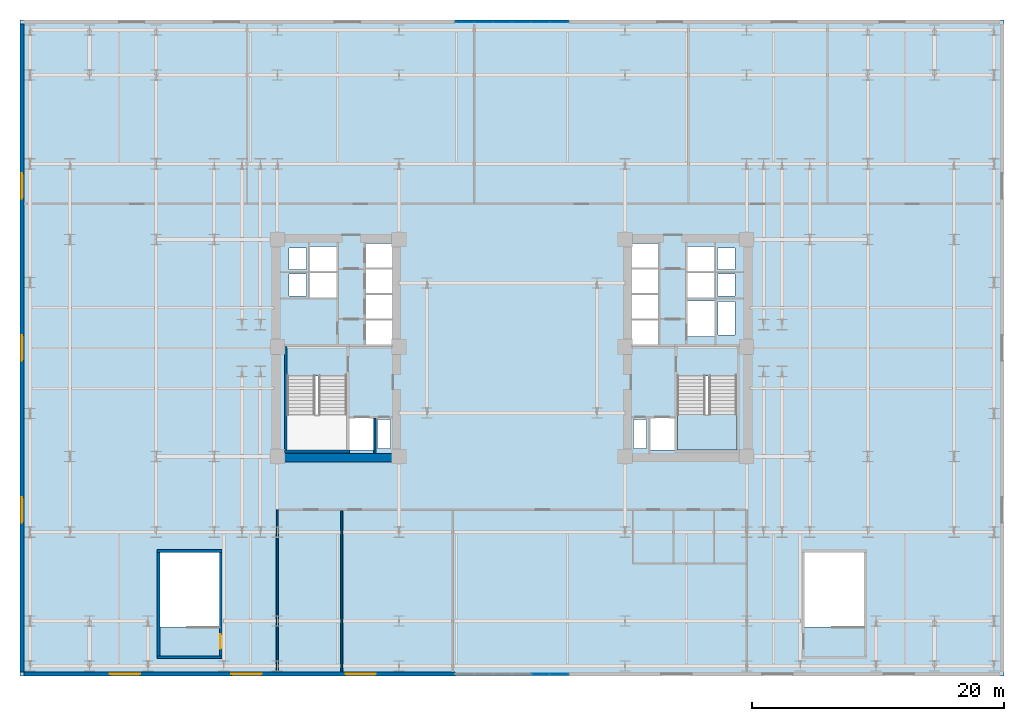
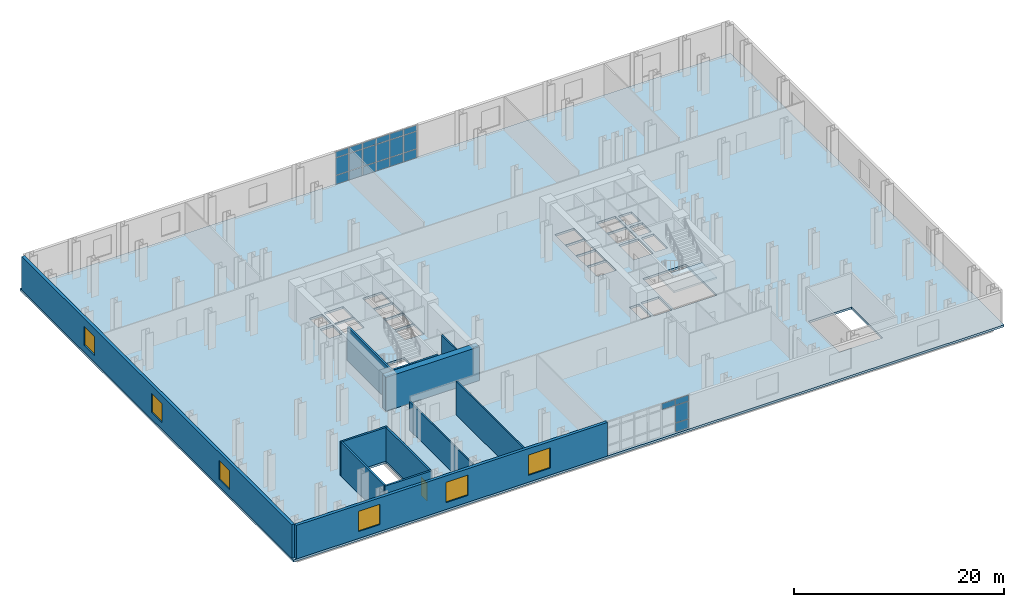
# One storey, part 7 of 13: 22 plates, 12 walls, 6 windows, 2 slabs, 1 door, 7 openings, 3 elements without a shape of their own.
"""IFC4 building model written with IfcOpenShell, lengths in metres."""

from ifc_helpers import new_model, si_unit, direction, frame, frame_2d, origin, origin_2d, place, context, subcontext, project, spatial, polyline, rectangle, outline, extrude, material, layer, layer_set, type_object, element, fill, aggregate, save


model = new_model("IFC4")

# Units and contexts
model_context = context("Model", 3, precision=1e-05, world=origin(), true_north=direction((0.0, 1.0)))
body_context = subcontext(model_context, "Body", "Model", "MODEL_VIEW")
ifc_project = project(units=[si_unit("LENGTHUNIT", "METRE"), si_unit("AREAUNIT", "SQUARE_METRE"), si_unit("VOLUMEUNIT", "CUBIC_METRE"), si_unit("PLANEANGLEUNIT", "RADIAN"), si_unit("MASSUNIT", "GRAM", prefix="KILO")], contexts=[model_context])

# Site, building, storey
site_placement = place(None, origin())
site = spatial("IfcSite", under=ifc_project, at=site_placement, CompositionType="ELEMENT")
building_placement = place(site_placement, origin())
building = spatial("IfcBuilding", under=site, at=building_placement, Name="Velakula Bourse", CompositionType="ELEMENT")
storey_placement = place(building_placement, frame((0.0, 0.0, 22.800048828125)))
storey = spatial("IfcBuildingStorey", under=building, at=storey_placement, Name="L05", CompositionType="ELEMENT", Elevation=22.800048828125)

# Curtain wall, plates
ifc_material_1 = material(Name="Anodised bronze architectural aluminium", Category="aluminium")
ifc_layer_1 = layer(ifc_material_1, 0.179931640625, Name="Anodised bronze architectural aluminium", Category="aluminium")
ifc_layer_set_1 = layer_set([ifc_layer_1], Name="Anodised bronze architectural aluminium")
curtain_wall_type = type_object("IfcCurtainWallType", Name="CW-PD1", PredefinedType="NOTDEFINED", material=ifc_layer_set_1)
curtain_wall_1_placement = place(storey_placement, origin())
curtain_wall_1 = element("IfcCurtainWall", 1, at=curtain_wall_1_placement, inside=storey, type_object=curtain_wall_type, Name="L05 South Station Galleria Curtain Wall 2", PredefinedType="NOTDEFINED")
ifc_material_2 = material(Name="Double-glazed solar-control Low-E glass", Category="glass")
ifc_layer_2 = layer(ifc_material_2, 0.02587890625, Name="Double-glazed solar-control Low-E glass", Category="glass")
ifc_layer_set_2 = layer_set([ifc_layer_2], Name="Double-glazed solar-control Low-E glass")
plate_type = type_object("IfcPlateType", Name="PNL-CW-PD1", PredefinedType="CURTAIN_PANEL", material=ifc_layer_set_2)
plate_1_placement = place(storey_placement, frame((3.735107421875, -25.840087890625, 0.06005859375), z_axis=(0.0, 0.0, 1.0), x_axis=(-1.0, 0.0, 0.0)))
plate_1 = element("IfcPlate", 2, at=plate_1_placement, type_object=plate_type, Name="CW-PD1 panel 1.1", PredefinedType="CURTAIN_PANEL", context=body_context, shape_type="SweptSolid", body=[
    extrude(rectangle(XDim=1.409912109375, YDim=0.028076171875, at=origin_2d()), origin(), (0.0, 0.0, 1.0), 1.010009765625),
])
plate_2_placement = place(storey_placement, frame((3.735107421875, -25.840087890625, 1.1298828125), z_axis=(0.0, 0.0, 1.0), x_axis=(-1.0, 0.0, 0.0)))
plate_2 = element("IfcPlate", 3, at=plate_2_placement, type_object=plate_type, Name="CW-PD1 panel 1.2", PredefinedType="CURTAIN_PANEL", context=body_context, shape_type="SweptSolid", body=[
    extrude(rectangle(XDim=1.409912109375, YDim=0.028076171875, at=origin_2d()), origin(), (0.0, 0.0, 1.0), 1.989990234375),
])
plate_3_placement = place(storey_placement, frame((3.735107421875, -25.840087890625, 3.18017578125), z_axis=(0.0, 0.0, 1.0), x_axis=(-1.0, 0.0, 0.0)))
plate_3 = element("IfcPlate", 4, at=plate_3_placement, type_object=plate_type, Name="CW-PD1 panel 1.3", PredefinedType="CURTAIN_PANEL", context=body_context, shape_type="SweptSolid", body=[
    extrude(rectangle(XDim=1.409912109375, YDim=0.028076171875, at=origin_2d()), origin(), (0.0, 0.0, 1.0), 0.659912109375),
])
plate_4_placement = place(storey_placement, frame((2.25, -25.840087890625, 3.18017578125), z_axis=(0.0, 0.0, 1.0), x_axis=(-1.0, 0.0, 0.0)))
plate_4 = element("IfcPlate", 5, at=plate_4_placement, type_object=plate_type, Name="CW-PD1 panel 2.3", PredefinedType="CURTAIN_PANEL", context=body_context, shape_type="SweptSolid", body=[
    extrude(rectangle(XDim=1.43994140625, YDim=0.028076171875, at=origin_2d()), origin(), (0.0, 0.0, 1.0), 0.659912109375),
])
aggregate(curtain_wall_1, [plate_1, plate_2, plate_3, plate_4])

curtain_wall_2_placement = place(storey_placement, origin())
curtain_wall_2 = element("IfcCurtainWall", 6, at=curtain_wall_2_placement, inside=storey, type_object=curtain_wall_type, Name="L05 North Station Galleria Curtain Wall 2", PredefinedType="NOTDEFINED")
plate_5_placement = place(storey_placement, frame((-3.735107421875, 25.840087890625, 0.06005859375), z_axis=(0.0, 0.0, 1.0), x_axis=(1.0, 0.0, 0.0)))
plate_5 = element("IfcPlate", 7, at=plate_5_placement, type_object=plate_type, Name="CW-PD1 panel 1.1", PredefinedType="CURTAIN_PANEL", context=body_context, shape_type="SweptSolid", body=[
    extrude(rectangle(XDim=1.409912109375, YDim=0.028076171875, at=origin_2d()), origin(), (0.0, 0.0, 1.0), 1.010009765625),
])
plate_6_placement = place(storey_placement, frame((-3.735107421875, 25.840087890625, 1.1298828125), z_axis=(0.0, 0.0, 1.0), x_axis=(1.0, 0.0, 0.0)))
plate_6 = element("IfcPlate", 8, at=plate_6_placement, type_object=plate_type, Name="CW-PD1 panel 1.2", PredefinedType="CURTAIN_PANEL", context=body_context, shape_type="SweptSolid", body=[
    extrude(rectangle(XDim=1.409912109375, YDim=0.028076171875, at=origin_2d()), origin(), (0.0, 0.0, 1.0), 1.989990234375),
])
plate_7_placement = place(storey_placement, frame((-3.735107421875, 25.840087890625, 3.18017578125), z_axis=(0.0, 0.0, 1.0), x_axis=(1.0, 0.0, 0.0)))
plate_7 = element("IfcPlate", 9, at=plate_7_placement, type_object=plate_type, Name="CW-PD1 panel 1.3", PredefinedType="CURTAIN_PANEL", context=body_context, shape_type="SweptSolid", body=[
    extrude(rectangle(XDim=1.409912109375, YDim=0.028076171875, at=origin_2d()), origin(), (0.0, 0.0, 1.0), 0.659912109375),
])
plate_8_placement = place(storey_placement, frame((-2.25, 25.840087890625, 0.06005859375), z_axis=(0.0, 0.0, 1.0), x_axis=(1.0, 0.0, 0.0)))
plate_8 = element("IfcPlate", 10, at=plate_8_placement, type_object=plate_type, Name="CW-PD1 panel 2.1", PredefinedType="CURTAIN_PANEL", context=body_context, shape_type="SweptSolid", body=[
    extrude(rectangle(XDim=1.43994140625, YDim=0.028076171875, at=origin_2d()), origin(), (0.0, 0.0, 1.0), 1.010009765625),
])
plate_9_placement = place(storey_placement, frame((-2.25, 25.840087890625, 1.1298828125), z_axis=(0.0, 0.0, 1.0), x_axis=(1.0, 0.0, 0.0)))
plate_9 = element("IfcPlate", 11, at=plate_9_placement, type_object=plate_type, Name="CW-PD1 panel 2.2", PredefinedType="CURTAIN_PANEL", context=body_context, shape_type="SweptSolid", body=[
    extrude(rectangle(XDim=1.43994140625, YDim=0.028076171875, at=origin_2d()), origin(), (0.0, 0.0, 1.0), 1.989990234375),
])
plate_10_placement = place(storey_placement, frame((-2.25, 25.840087890625, 3.18017578125), z_axis=(0.0, 0.0, 1.0), x_axis=(1.0, 0.0, 0.0)))
plate_10 = element("IfcPlate", 12, at=plate_10_placement, type_object=plate_type, Name="CW-PD1 panel 2.3", PredefinedType="CURTAIN_PANEL", context=body_context, shape_type="SweptSolid", body=[
    extrude(rectangle(XDim=1.43994140625, YDim=0.028076171875, at=origin_2d()), origin(), (0.0, 0.0, 1.0), 0.659912109375),
])
plate_11_placement = place(storey_placement, frame((-0.75, 25.840087890625, 0.06005859375), z_axis=(0.0, 0.0, 1.0), x_axis=(1.0, 0.0, 0.0)))
plate_11 = element("IfcPlate", 13, at=plate_11_placement, type_object=plate_type, Name="CW-PD1 panel 3.1", PredefinedType="CURTAIN_PANEL", context=body_context, shape_type="SweptSolid", body=[
    extrude(rectangle(XDim=1.43994140625, YDim=0.028076171875, at=origin_2d()), origin(), (0.0, 0.0, 1.0), 1.010009765625),
])
plate_12_placement = place(storey_placement, frame((-0.75, 25.840087890625, 1.1298828125), z_axis=(0.0, 0.0, 1.0), x_axis=(1.0, 0.0, 0.0)))
plate_12 = element("IfcPlate", 14, at=plate_12_placement, type_object=plate_type, Name="CW-PD1 panel 3.2", PredefinedType="CURTAIN_PANEL", context=body_context, shape_type="SweptSolid", body=[
    extrude(rectangle(XDim=1.43994140625, YDim=0.028076171875, at=origin_2d()), origin(), (0.0, 0.0, 1.0), 1.989990234375),
])
plate_13_placement = place(storey_placement, frame((-0.75, 25.840087890625, 3.18017578125), z_axis=(0.0, 0.0, 1.0), x_axis=(1.0, 0.0, 0.0)))
plate_13 = element("IfcPlate", 15, at=plate_13_placement, type_object=plate_type, Name="CW-PD1 panel 3.3", PredefinedType="CURTAIN_PANEL", context=body_context, shape_type="SweptSolid", body=[
    extrude(rectangle(XDim=1.43994140625, YDim=0.028076171875, at=origin_2d()), origin(), (0.0, 0.0, 1.0), 0.659912109375),
])
plate_14_placement = place(storey_placement, frame((0.75, 25.840087890625, 0.06005859375), z_axis=(0.0, 0.0, 1.0), x_axis=(1.0, 0.0, 0.0)))
plate_14 = element("IfcPlate", 16, at=plate_14_placement, type_object=plate_type, Name="CW-PD1 panel 4.1", PredefinedType="CURTAIN_PANEL", context=body_context, shape_type="SweptSolid", body=[
    extrude(rectangle(XDim=1.43994140625, YDim=0.028076171875, at=origin_2d()), origin(), (0.0, 0.0, 1.0), 1.010009765625),
])
plate_15_placement = place(storey_placement, frame((0.75, 25.840087890625, 1.1298828125), z_axis=(0.0, 0.0, 1.0), x_axis=(1.0, 0.0, 0.0)))
plate_15 = element("IfcPlate", 17, at=plate_15_placement, type_object=plate_type, Name="CW-PD1 panel 4.2", PredefinedType="CURTAIN_PANEL", context=body_context, shape_type="SweptSolid", body=[
    extrude(rectangle(XDim=1.43994140625, YDim=0.028076171875, at=origin_2d()), origin(), (0.0, 0.0, 1.0), 1.989990234375),
])
plate_16_placement = place(storey_placement, frame((0.75, 25.840087890625, 3.18017578125), z_axis=(0.0, 0.0, 1.0), x_axis=(1.0, 0.0, 0.0)))
plate_16 = element("IfcPlate", 18, at=plate_16_placement, type_object=plate_type, Name="CW-PD1 panel 4.3", PredefinedType="CURTAIN_PANEL", context=body_context, shape_type="SweptSolid", body=[
    extrude(rectangle(XDim=1.43994140625, YDim=0.028076171875, at=origin_2d()), origin(), (0.0, 0.0, 1.0), 0.659912109375),
])
plate_17_placement = place(storey_placement, frame((2.25, 25.840087890625, 0.06005859375), z_axis=(0.0, 0.0, 1.0), x_axis=(1.0, 0.0, 0.0)))
plate_17 = element("IfcPlate", 19, at=plate_17_placement, type_object=plate_type, Name="CW-PD1 panel 5.1", PredefinedType="CURTAIN_PANEL", context=body_context, shape_type="SweptSolid", body=[
    extrude(rectangle(XDim=1.43994140625, YDim=0.028076171875, at=origin_2d()), origin(), (0.0, 0.0, 1.0), 1.010009765625),
])
plate_18_placement = place(storey_placement, frame((2.25, 25.840087890625, 1.1298828125), z_axis=(0.0, 0.0, 1.0), x_axis=(1.0, 0.0, 0.0)))
plate_18 = element("IfcPlate", 20, at=plate_18_placement, type_object=plate_type, Name="CW-PD1 panel 5.2", PredefinedType="CURTAIN_PANEL", context=body_context, shape_type="SweptSolid", body=[
    extrude(rectangle(XDim=1.43994140625, YDim=0.028076171875, at=origin_2d()), origin(), (0.0, 0.0, 1.0), 1.989990234375),
])
plate_19_placement = place(storey_placement, frame((2.25, 25.840087890625, 3.18017578125), z_axis=(0.0, 0.0, 1.0), x_axis=(1.0, 0.0, 0.0)))
plate_19 = element("IfcPlate", 21, at=plate_19_placement, type_object=plate_type, Name="CW-PD1 panel 5.3", PredefinedType="CURTAIN_PANEL", context=body_context, shape_type="SweptSolid", body=[
    extrude(rectangle(XDim=1.43994140625, YDim=0.028076171875, at=origin_2d()), origin(), (0.0, 0.0, 1.0), 0.659912109375),
])
plate_20_placement = place(storey_placement, frame((3.735107421875, 25.840087890625, 0.06005859375), z_axis=(0.0, 0.0, 1.0), x_axis=(1.0, 0.0, 0.0)))
plate_20 = element("IfcPlate", 22, at=plate_20_placement, type_object=plate_type, Name="CW-PD1 panel 6.1", PredefinedType="CURTAIN_PANEL", context=body_context, shape_type="SweptSolid", body=[
    extrude(rectangle(XDim=1.409912109375, YDim=0.028076171875, at=origin_2d()), origin(), (0.0, 0.0, 1.0), 1.010009765625),
])
plate_21_placement = place(storey_placement, frame((3.735107421875, 25.840087890625, 1.1298828125), z_axis=(0.0, 0.0, 1.0), x_axis=(1.0, 0.0, 0.0)))
plate_21 = element("IfcPlate", 23, at=plate_21_placement, type_object=plate_type, Name="CW-PD1 panel 6.2", PredefinedType="CURTAIN_PANEL", context=body_context, shape_type="SweptSolid", body=[
    extrude(rectangle(XDim=1.409912109375, YDim=0.028076171875, at=origin_2d()), origin(), (0.0, 0.0, 1.0), 1.989990234375),
])
plate_22_placement = place(storey_placement, frame((3.735107421875, 25.840087890625, 3.18017578125), z_axis=(0.0, 0.0, 1.0), x_axis=(1.0, 0.0, 0.0)))
plate_22 = element("IfcPlate", 24, at=plate_22_placement, type_object=plate_type, Name="CW-PD1 panel 6.3", PredefinedType="CURTAIN_PANEL", context=body_context, shape_type="SweptSolid", body=[
    extrude(rectangle(XDim=1.409912109375, YDim=0.028076171875, at=origin_2d()), origin(), (0.0, 0.0, 1.0), 0.659912109375),
])
aggregate(curtain_wall_2, [plate_5, plate_6, plate_7, plate_8, plate_9, plate_10, plate_11, plate_12, plate_13, plate_14, plate_15, plate_16, plate_17, plate_18, plate_19, plate_20, plate_21, plate_22])

# Slab
ifc_material_3 = material(Name="Concrete M50 (fck 50 MPa)", Category="concrete")
ifc_layer_3 = layer(ifc_material_3, 0.25, Name="Concrete M50 (fck 50 MPa)", Category="concrete")
ifc_layer_set_3 = layer_set([ifc_layer_3], Name="Concrete M50 (fck 50 MPa)")
slab_type_1 = type_object("IfcSlabType", Name="SLB-POD-250", PredefinedType="FLOOR", material=ifc_layer_set_3)
slab_1_placement = place(storey_placement, frame((0.0, 0.0, -0.25)))
element("IfcSlab", 25, at=slab_1_placement, inside=storey, type_object=slab_type_1, Name="L05 Suspended Structural Floor Slab", PredefinedType="FLOOR", context=body_context, shape_type="SweptSolid", body=[
    extrude(outline(polyline([(-39.0, -26.0), (39.0, -26.0), (39.0, 26.0), (-39.0, 26.0), (-39.0, -26.0)]), holes=[polyline([(-17.820068359375, -8.10009765625), (-13.10009765625, -8.10009765625), (-13.10009765625, -2.199951171875), (-17.820068359375, -2.199951171875), (-17.820068359375, -8.10009765625)]), polyline([(13.10009765625, -8.10009765625), (17.820068359375, -8.10009765625), (17.820068359375, -2.199951171875), (13.10009765625, -2.199951171875), (13.10009765625, -8.10009765625)]), polyline([(-27.919921875, -22.10009765625), (-23.199951171875, -22.10009765625), (-23.199951171875, -16.199951171875), (-27.919921875, -16.199951171875), (-27.919921875, -22.10009765625)]), polyline([(23.199951171875, -22.10009765625), (27.919921875, -22.10009765625), (27.919921875, -16.199951171875), (23.199951171875, -16.199951171875), (23.199951171875, -22.10009765625)]), polyline([(-12.89990234375, -8.10009765625), (-10.949951171875, -8.10009765625), (-10.949951171875, -5.550048828125), (-12.89990234375, -5.550048828125), (-12.89990234375, -8.10009765625)]), polyline([(10.949951171875, -8.10009765625), (12.89990234375, -8.10009765625), (12.89990234375, -5.550048828125), (10.949951171875, -5.550048828125), (10.949951171875, -8.10009765625)]), polyline([(13.89990234375, 0.919921875), (16.050048828125, 0.919921875), (16.050048828125, 3.719970703125), (13.89990234375, 3.719970703125), (13.89990234375, 0.919921875)]), polyline([(-10.679931640625, -7.97998046875), (-9.6201171875, -7.97998046875), (-9.6201171875, -5.669921875), (-10.679931640625, -5.669921875), (-10.679931640625, -7.97998046875)]), polyline([(-17.679931640625, 4.139892578125), (-16.27001953125, 4.139892578125), (-16.27001953125, 5.85009765625), (-17.679931640625, 5.85009765625), (-17.679931640625, 4.139892578125)]), polyline([(-17.679931640625, 6.2099609375), (-16.27001953125, 6.2099609375), (-16.27001953125, 7.919921875), (-17.679931640625, 7.919921875), (-17.679931640625, 6.2099609375)]), polyline([(9.6201171875, -7.97998046875), (10.679931640625, -7.97998046875), (10.679931640625, -5.669921875), (9.6201171875, -5.669921875), (9.6201171875, -7.97998046875)]), polyline([(16.27001953125, 4.139892578125), (17.679931640625, 4.139892578125), (17.679931640625, 5.85009765625), (16.27001953125, 5.85009765625), (16.27001953125, 4.139892578125)]), polyline([(16.27001953125, 6.2099609375), (17.679931640625, 6.2099609375), (17.679931640625, 7.919921875), (16.27001953125, 7.919921875), (16.27001953125, 6.2099609375)]), polyline([(16.320068359375, 1.0400390625), (17.679931640625, 1.0400390625), (17.679931640625, 3.699951171875), (16.320068359375, 3.699951171875), (16.320068359375, 1.0400390625)]), polyline([(-11.60009765625, 0.280029296875), (-9.5, 0.280029296875), (-9.5, 2.199951171875), (-11.60009765625, 2.199951171875), (-11.60009765625, 0.280029296875)]), polyline([(-11.60009765625, 2.31005859375), (-9.5, 2.31005859375), (-9.5, 4.22998046875), (-11.60009765625, 4.22998046875), (-11.60009765625, 2.31005859375)]), polyline([(-11.60009765625, 4.340087890625), (-9.5, 4.340087890625), (-9.5, 6.260009765625), (-11.60009765625, 6.260009765625), (-11.60009765625, 4.340087890625)]), polyline([(-11.60009765625, 6.3701171875), (-9.5, 6.3701171875), (-9.5, 8.2900390625), (-11.60009765625, 8.2900390625), (-11.60009765625, 6.3701171875)]), polyline([(9.5, 0.280029296875), (11.60009765625, 0.280029296875), (11.60009765625, 2.199951171875), (9.5, 2.199951171875), (9.5, 0.280029296875)]), polyline([(9.5, 2.31005859375), (11.60009765625, 2.31005859375), (11.60009765625, 4.22998046875), (9.5, 4.22998046875), (9.5, 2.31005859375)]), polyline([(9.5, 4.340087890625), (11.60009765625, 4.340087890625), (11.60009765625, 6.260009765625), (9.5, 6.260009765625), (9.5, 4.340087890625)]), polyline([(9.5, 6.3701171875), (11.60009765625, 6.3701171875), (11.60009765625, 8.2900390625), (9.5, 8.2900390625), (9.5, 6.3701171875)]), polyline([(-16.0, 4.02001953125), (-13.89990234375, 4.02001953125), (-13.89990234375, 5.969970703125), (-16.0, 5.969970703125), (-16.0, 4.02001953125)]), polyline([(-16.0, 6.090087890625), (-13.89990234375, 6.090087890625), (-13.89990234375, 8.0400390625), (-16.0, 8.0400390625), (-16.0, 6.090087890625)]), polyline([(13.89990234375, 4.02001953125), (16.0, 4.02001953125), (16.0, 5.969970703125), (13.89990234375, 5.969970703125), (13.89990234375, 4.02001953125)]), polyline([(13.89990234375, 6.090087890625), (16.0, 6.090087890625), (16.0, 8.0400390625), (13.89990234375, 8.0400390625), (13.89990234375, 6.090087890625)])]), origin(), (0.0, 0.0, 1.0), 0.25),
])

# Stair, slab
ifc_material_4 = material(Name="Concrete M45 (fck 45 MPa)", Category="concrete")
stair_type = type_object("IfcStairType", Name="STR-DOG-435", PredefinedType="HALF_TURN_STAIR", material=ifc_material_4)
stair_placement = place(storey_placement, origin())
stair = element("IfcStair", 26, at=stair_placement, inside=storey, type_object=stair_type, Name="L05 East Core Exit Stair ST-E1", PredefinedType="HALF_TURN_STAIR")
ifc_layer_4 = layer(ifc_material_4, 0.199951171875, Name="Concrete M45 (fck 45 MPa)", Category="concrete")
ifc_layer_set_4 = layer_set([ifc_layer_4], Name="Concrete M45 (fck 45 MPa)")
slab_type_2 = type_object("IfcSlabType", Name="SLB-STAIR-LND-200", PredefinedType="LANDING", material=ifc_layer_set_4)
slab_2_placement = place(storey_placement, frame((0.0, 0.0, 1.89990234375)))
slab_2 = element("IfcSlab", 27, at=slab_2_placement, type_object=slab_type_2, Name="ST-E1 landing 1", PredefinedType="LANDING", context=body_context, shape_type="SweptSolid", body=[
    extrude(outline(polyline([(13.10009765625, -5.280029296875), (13.10009765625, -8.10009765625), (17.820068359375, -8.10009765625), (17.820068359375, -5.280029296875), (13.10009765625, -5.280029296875)])), origin(), (0.0, 0.0, 1.0), 0.199951171875),
])
aggregate(stair, [slab_2])

# Walls
ifc_layer_5 = layer(ifc_material_3, 0.2099609375, Name="Concrete M50 (fck 50 MPa)", Category="concrete")
ifc_layer_set_5 = layer_set([ifc_layer_5], Name="Concrete M50 (fck 50 MPa)")
wall_type_1 = type_object("IfcWallType", Name="WL-CORE-210", PredefinedType="SHEAR", material=ifc_layer_set_5)
wall_1_placement = place(storey_placement, frame((-17.925048828125, -8.10009765625, 0.0), z_axis=(0.0, 0.0, 1.0), x_axis=(0.0, 1.0, 0.0)))
element("IfcWall", 28, at=wall_1_placement, inside=storey, type_object=wall_type_1, Name="L05 Core W Stairwell Shear Wall OUT", PredefinedType="SHEAR", context=body_context, shape_type="SweptSolid", body=[
    extrude(rectangle(XDim=8.2001953125, YDim=0.2099609375, at=frame_2d((4.10009765625, 0.0))), origin(), (0.0, 0.0, 1.0), 3.919921875),
])
wall_2_placement = place(storey_placement, frame((-18.030029296875, -8.205078125, 0.0), z_axis=(0.0, 0.0, 1.0), x_axis=(1.0, 0.0, 0.0)))
element("IfcWall", 29, at=wall_2_placement, inside=storey, type_object=wall_type_1, Name="L05 Core W Stairwell Shear Wall S", PredefinedType="SHEAR", context=body_context, shape_type="SweptSolid", body=[
    extrude(rectangle(XDim=5.14013671875, YDim=0.2099609375, at=frame_2d((2.570068359375, 0.0))), origin(), (0.0, 0.0, 1.0), 3.919921875),
])
for number, where, z_axis, x_axis, name in (
    (30, (-28.1298828125, -24.5048828125, 0.0), (0.0, 0.0, 1.0), (1.0, 0.0, 0.0), "L05 Podium Stair ST-P1 Shear Wall S"),
    (31, (-28.1298828125, -16.094970703125, 0.0), (0.0, 0.0, 1.0), (1.0, 0.0, 0.0), "L05 Podium Stair ST-P1 Shear Wall N"),
):
    element("IfcWall", number, at=place(storey_placement, frame(where, z_axis=z_axis, x_axis=x_axis)), inside=storey, type_object=wall_type_1, Name=name, PredefinedType="SHEAR", context=body_context, shape_type="SweptSolid", body=[
        extrude(rectangle(XDim=5.139892578125, YDim=0.2099609375, at=frame_2d((2.56982421875, 0.0))), origin(), (0.0, 0.0, 1.0), 3.919921875),
    ])
wall_3_placement = place(storey_placement, frame((-28.02490234375, -24.39990234375, 0.0), z_axis=(0.0, 0.0, 1.0), x_axis=(0.0, 1.0, 0.0)))
element("IfcWall", 32, at=wall_3_placement, inside=storey, type_object=wall_type_1, Name="L05 Podium Stair ST-P1 Shear Wall W", PredefinedType="SHEAR", context=body_context, shape_type="SweptSolid", body=[
    extrude(rectangle(XDim=8.199951171875, YDim=0.2099609375, at=frame_2d((4.10009765625, 0.0))), origin(), (0.0, 0.0, 1.0), 3.919921875),
])

# Wall, opening, door
wall_4_placement = place(storey_placement, frame((-23.094970703125, -24.39990234375, 0.0), z_axis=(0.0, 0.0, 1.0), x_axis=(0.0, 1.0, 0.0)))
wall_4 = element("IfcWall", 33, at=wall_4_placement, inside=storey, type_object=wall_type_1, Name="L05 Podium Stair ST-P1 Shear Wall E", PredefinedType="SHEAR", context=body_context, shape_type="SweptSolid", body=[
    extrude(rectangle(XDim=8.199951171875, YDim=0.2099609375, at=frame_2d((4.10009765625, 0.0))), origin(), (0.0, 0.0, 1.0), 3.919921875),
])
opening_1_placement = place(wall_4_placement, frame((0.550048828125, 0.0, 0.0)))
opening_1 = element("IfcOpeningElement", 34, at=opening_1_placement, cuts=wall_4, Name="Opening D-P1", PredefinedType="OPENING", context=body_context, shape_type="SweptSolid", body=[
    extrude(rectangle(XDim=1.14990234375, YDim=2.10009765625, at=frame_2d((0.574951171875, 1.050048828125))), frame((0.0, 0.114990234375, 0.0), z_axis=(0.0, -1.0, 0.0), x_axis=(1.0, 0.0, 0.0)), (0.0, 0.0, 1.0), 0.22998046875),
])
ifc_material_5 = material(Name="Galvanised painted hollow steel fire door", Category="steel")
door_type = type_object("IfcDoorType", Name="DR-FD120-1150x2100", OperationType="NOTDEFINED", PredefinedType="DOOR", material=ifc_material_5)
door_placement = place(opening_1_placement, origin())
door = element("IfcDoor", 35, at=door_placement, inside=storey, type_object=door_type, Name="L05 Stair ST-P1 Fire Door", OperationType="SINGLE_SWING_LEFT", OverallHeight=2.10009765625, OverallWidth=1.14990234375, PredefinedType="DOOR", context=body_context, shape_type="SweptSolid", body=[
    extrude(rectangle(XDim=1.14990234375, YDim=2.10009765625, at=frame_2d((0.574951171875, 1.050048828125))), frame((0.0, 0.02490234375, 0.0), z_axis=(0.0, -1.0, 0.0), x_axis=(1.0, 0.0, 0.0)), (0.0, 0.0, 1.0), 0.050048828125),
])
fill(opening_1, door)

# Wall
ifc_material_6 = material(Name="Concrete M70 (fck 70 MPa)", Category="concrete")
ifc_layer_6 = layer(ifc_material_6, 0.699951171875, Name="Concrete M70 (fck 70 MPa)", Category="concrete")
ifc_layer_set_6 = layer_set([ifc_layer_6], Name="Concrete M70 (fck 70 MPa)")
wall_type_2 = type_object("IfcWallType", Name="WL-CORE-700", PredefinedType="SHEAR", material=ifc_layer_set_6)
wall_5_placement = place(storey_placement, frame((-19.050048828125, -8.699951171875, 0.0), z_axis=(0.0, 0.0, 1.0), x_axis=(1.0, 0.0, 0.0)))
element("IfcWall", 36, at=wall_5_placement, inside=storey, type_object=wall_type_2, Name="L05 Core W Shear Wall S", PredefinedType="SHEAR", context=body_context, shape_type="SweptSolid", body=[
    extrude(rectangle(XDim=10.25, YDim=0.699951171875, at=frame_2d((5.125, 0.0))), origin(), (0.0, 0.0, 1.0), 3.919921875),
])

# Wall, openings, windows
ifc_material_7 = material(Name="Red kilned clay facing brick masonry", Category="masonry")
ifc_layer_7 = layer(ifc_material_7, 0.320068359375, Name="Red kilned clay facing brick masonry", Category="masonry")
ifc_layer_set_7 = layer_set([ifc_layer_7], Name="Red kilned clay facing brick masonry")
wall_type_3 = type_object("IfcWallType", Name="WL-EXT-BRK-320", PredefinedType="STANDARD", material=ifc_layer_set_7)
wall_6_placement = place(storey_placement, frame((-4.5, -25.840087890625, 0.0), z_axis=(0.0, 0.0, 1.0), x_axis=(-1.0, 0.0, 0.0)))
wall_6 = element("IfcWall", 37, at=wall_6_placement, inside=storey, type_object=wall_type_3, Name="L05 South Brick Facade Wall 3", PredefinedType="STANDARD", context=body_context, shape_type="SweptSolid", body=[
    extrude(rectangle(XDim=34.179931640625, YDim=0.320068359375, at=frame_2d((17.08984375, 0.0))), origin(), (0.0, 0.0, 1.0), 3.89990234375),
])
opening_2_placement = place(wall_6_placement, frame((6.294921875, 0.0, 0.800048828125)))
opening_2 = element("IfcOpeningElement", 38, at=opening_2_placement, cuts=wall_6, Name="Opening W-06", PredefinedType="OPENING", context=body_context, shape_type="SweptSolid", body=[
    extrude(rectangle(XDim=2.39990234375, YDim=2.35009765625, at=frame_2d((1.199951171875, 1.175048828125))), frame((0.0, 0.169921875, 0.0), z_axis=(0.0, -1.0, 0.0), x_axis=(1.0, 0.0, 0.0)), (0.0, 0.0, 1.0), 0.340087890625),
])
opening_3_placement = place(wall_6_placement, frame((15.340087890625, 0.0, 0.800048828125)))
opening_3 = element("IfcOpeningElement", 39, at=opening_3_placement, cuts=wall_6, Name="Opening W-06", PredefinedType="OPENING", context=body_context, shape_type="SweptSolid", body=[
    extrude(rectangle(XDim=2.39990234375, YDim=2.35009765625, at=frame_2d((1.199951171875, 1.175048828125))), frame((0.0, 0.169921875, 0.0), z_axis=(0.0, -1.0, 0.0), x_axis=(1.0, 0.0, 0.0)), (0.0, 0.0, 1.0), 0.340087890625),
])
opening_4_placement = place(wall_6_placement, frame((24.985107421875, 0.0, 0.800048828125)))
opening_4 = element("IfcOpeningElement", 40, at=opening_4_placement, cuts=wall_6, Name="Opening W-06", PredefinedType="OPENING", context=body_context, shape_type="SweptSolid", body=[
    extrude(rectangle(XDim=2.39990234375, YDim=2.35009765625, at=frame_2d((1.199951171875, 1.175048828125))), frame((0.0, 0.169921875, 0.0), z_axis=(0.0, -1.0, 0.0), x_axis=(1.0, 0.0, 0.0)), (0.0, 0.0, 1.0), 0.340087890625),
])
window_type_1 = type_object("IfcWindowType", Name="WIN-POD-2400x2600", PartitioningType="DOUBLE_PANEL_VERTICAL", PredefinedType="WINDOW", material=ifc_material_2)
window_1_placement = place(opening_2_placement, origin())
window_1 = element("IfcWindow", 41, at=window_1_placement, inside=storey, type_object=window_type_1, Name="L05 Deep-Set Recessed Window 1", OverallHeight=2.35009765625, OverallWidth=2.39990234375, PartitioningType="DOUBLE_PANEL_VERTICAL", PredefinedType="WINDOW", context=body_context, shape_type="SweptSolid", body=[
    extrude(rectangle(XDim=2.39990234375, YDim=2.35009765625, at=frame_2d((1.199951171875, 1.175048828125))), frame((0.0, 0.030029296875, 0.0), z_axis=(0.0, -1.0, 0.0), x_axis=(1.0, 0.0, 0.0)), (0.0, 0.0, 1.0), 0.06005859375),
])
fill(opening_2, window_1)
window_2_placement = place(opening_3_placement, origin())
window_2 = element("IfcWindow", 42, at=window_2_placement, inside=storey, type_object=window_type_1, Name="L05 Deep-Set Recessed Window 2", OverallHeight=2.35009765625, OverallWidth=2.39990234375, PartitioningType="DOUBLE_PANEL_VERTICAL", PredefinedType="WINDOW", context=body_context, shape_type="SweptSolid", body=[
    extrude(rectangle(XDim=2.39990234375, YDim=2.35009765625, at=frame_2d((1.199951171875, 1.175048828125))), frame((0.0, 0.030029296875, 0.0), z_axis=(0.0, -1.0, 0.0), x_axis=(1.0, 0.0, 0.0)), (0.0, 0.0, 1.0), 0.06005859375),
])
fill(opening_3, window_2)
window_3_placement = place(opening_4_placement, origin())
window_3 = element("IfcWindow", 43, at=window_3_placement, inside=storey, type_object=window_type_1, Name="L05 Deep-Set Recessed Window 3", OverallHeight=2.35009765625, OverallWidth=2.39990234375, PartitioningType="DOUBLE_PANEL_VERTICAL", PredefinedType="WINDOW", context=body_context, shape_type="SweptSolid", body=[
    extrude(rectangle(XDim=2.39990234375, YDim=2.35009765625, at=frame_2d((1.199951171875, 1.175048828125))), frame((0.0, 0.030029296875, 0.0), z_axis=(0.0, -1.0, 0.0), x_axis=(1.0, 0.0, 0.0)), (0.0, 0.0, 1.0), 0.06005859375),
])
fill(opening_4, window_3)

wall_7_placement = place(storey_placement, frame((-38.840087890625, -25.679931640625, 0.0), z_axis=(0.0, 0.0, 1.0), x_axis=(0.0, 1.0, 0.0)))
wall_7 = element("IfcWall", 44, at=wall_7_placement, inside=storey, type_object=wall_type_3, Name="L05 W Brick Facade Wall", PredefinedType="STANDARD", context=body_context, shape_type="SweptSolid", body=[
    extrude(rectangle(XDim=51.35986328125, YDim=0.320068359375, at=frame_2d((25.679931640625, 0.0))), origin(), (0.0, 0.0, 1.0), 3.89990234375),
])
opening_5_placement = place(wall_7_placement, frame((11.840087890625, 0.0, 0.800048828125)))
opening_5 = element("IfcOpeningElement", 45, at=opening_5_placement, cuts=wall_7, Name="Opening W-07", PredefinedType="OPENING", context=body_context, shape_type="SweptSolid", body=[
    extrude(rectangle(XDim=2.0, YDim=2.199951171875, at=frame_2d((1.0, 1.10009765625))), frame((0.0, 0.169921875, 0.0), z_axis=(0.0, -1.0, 0.0), x_axis=(1.0, 0.0, 0.0)), (0.0, 0.0, 1.0), 0.340087890625),
])
opening_6_placement = place(wall_7_placement, frame((24.679931640625, 0.0, 0.800048828125)))
opening_6 = element("IfcOpeningElement", 46, at=opening_6_placement, cuts=wall_7, Name="Opening W-07", PredefinedType="OPENING", context=body_context, shape_type="SweptSolid", body=[
    extrude(rectangle(XDim=2.0, YDim=2.199951171875, at=frame_2d((1.0, 1.10009765625))), frame((0.0, 0.169921875, 0.0), z_axis=(0.0, -1.0, 0.0), x_axis=(1.0, 0.0, 0.0)), (0.0, 0.0, 1.0), 0.340087890625),
])
opening_7_placement = place(wall_7_placement, frame((37.52001953125, 0.0, 0.800048828125)))
opening_7 = element("IfcOpeningElement", 47, at=opening_7_placement, cuts=wall_7, Name="Opening W-07", PredefinedType="OPENING", context=body_context, shape_type="SweptSolid", body=[
    extrude(rectangle(XDim=2.0, YDim=2.199951171875, at=frame_2d((1.0, 1.10009765625))), frame((0.0, 0.169921875, 0.0), z_axis=(0.0, -1.0, 0.0), x_axis=(1.0, 0.0, 0.0)), (0.0, 0.0, 1.0), 0.340087890625),
])
window_type_2 = type_object("IfcWindowType", Name="WIN-POD-2000x2400", PartitioningType="DOUBLE_PANEL_VERTICAL", PredefinedType="WINDOW", material=ifc_material_2)
window_4_placement = place(opening_5_placement, origin())
window_4 = element("IfcWindow", 48, at=window_4_placement, inside=storey, type_object=window_type_2, Name="L05 Deep-Set Recessed Window 1", OverallHeight=2.199951171875, OverallWidth=2.0, PartitioningType="DOUBLE_PANEL_VERTICAL", PredefinedType="WINDOW", context=body_context, shape_type="SweptSolid", body=[
    extrude(rectangle(XDim=2.0, YDim=2.199951171875, at=frame_2d((1.0, 1.10009765625))), frame((0.0, 0.030029296875, 0.0), z_axis=(0.0, -1.0, 0.0), x_axis=(1.0, 0.0, 0.0)), (0.0, 0.0, 1.0), 0.06005859375),
])
fill(opening_5, window_4)
window_5_placement = place(opening_6_placement, origin())
window_5 = element("IfcWindow", 49, at=window_5_placement, inside=storey, type_object=window_type_2, Name="L05 Deep-Set Recessed Window 2", OverallHeight=2.199951171875, OverallWidth=2.0, PartitioningType="DOUBLE_PANEL_VERTICAL", PredefinedType="WINDOW", context=body_context, shape_type="SweptSolid", body=[
    extrude(rectangle(XDim=2.0, YDim=2.199951171875, at=frame_2d((1.0, 1.10009765625))), frame((0.0, 0.030029296875, 0.0), z_axis=(0.0, -1.0, 0.0), x_axis=(1.0, 0.0, 0.0)), (0.0, 0.0, 1.0), 0.06005859375),
])
fill(opening_6, window_5)
window_6_placement = place(opening_7_placement, origin())
window_6 = element("IfcWindow", 50, at=window_6_placement, inside=storey, type_object=window_type_2, Name="L05 Deep-Set Recessed Window 3", OverallHeight=2.199951171875, OverallWidth=2.0, PartitioningType="DOUBLE_PANEL_VERTICAL", PredefinedType="WINDOW", context=body_context, shape_type="SweptSolid", body=[
    extrude(rectangle(XDim=2.0, YDim=2.199951171875, at=frame_2d((1.0, 1.10009765625))), frame((0.0, 0.030029296875, 0.0), z_axis=(0.0, -1.0, 0.0), x_axis=(1.0, 0.0, 0.0)), (0.0, 0.0, 1.0), 0.06005859375),
])
fill(opening_7, window_6)

# Walls
ifc_material_8 = material(Name="Fire-rated double-layer gypsum drywall partition", Category="gypsum")
ifc_layer_8 = layer(ifc_material_8, 0.139892578125, Name="Fire-rated double-layer gypsum drywall partition", Category="gypsum")
ifc_layer_set_8 = layer_set([ifc_layer_8], Name="Fire-rated double-layer gypsum drywall partition")
wall_type_4 = type_object("IfcWallType", Name="WL-PART-140", PredefinedType="STANDARD", material=ifc_layer_set_8)
wall_8_placement = place(storey_placement, frame((-18.60009765625, -25.679931640625, 0.0), z_axis=(0.0, 0.0, 1.0), x_axis=(0.0, 1.0, 0.0)))
element("IfcWall", 51, at=wall_8_placement, inside=storey, type_object=wall_type_4, Name="L05 Interior Partition WL-POD-L05-SW-END", PredefinedType="STANDARD", context=body_context, shape_type="SweptSolid", body=[
    extrude(rectangle(XDim=12.85986328125, YDim=0.139892578125, at=frame_2d((6.429931640625, 0.0))), origin(), (0.0, 0.0, 1.0), 3.294921875),
])
wall_9_placement = place(storey_placement, frame((-13.5, -25.679931640625, 0.0), z_axis=(0.0, 0.0, 1.0), x_axis=(0.0, 1.0, 0.0)))
element("IfcWall", 52, at=wall_9_placement, inside=storey, type_object=wall_type_4, Name="L05 Interior Partition WL-POD-L05-SD1", PredefinedType="STANDARD", context=body_context, shape_type="SweptSolid", body=[
    extrude(rectangle(XDim=12.7900390625, YDim=0.139892578125, at=frame_2d((6.39501953125, 0.0))), origin(), (0.0, 0.0, 1.0), 3.89990234375),
])
ifc_material_9 = material(Name="Autoclaved aerated concrete blockwork masonry", Category="masonry")
ifc_layer_9 = layer(ifc_material_9, 0.14990234375, Name="Autoclaved aerated concrete blockwork masonry", Category="masonry")
ifc_layer_set_9 = layer_set([ifc_layer_9], Name="Autoclaved aerated concrete blockwork masonry")
wall_type_5 = type_object("IfcWallType", Name="WL-SHAFT-150", PredefinedType="STANDARD", material=ifc_layer_set_9)
wall_10_placement = place(storey_placement, frame((-10.875, -8.35009765625, 0.0), z_axis=(0.0, 0.0, 1.0), x_axis=(0.0, 1.0, 0.0)))
element("IfcWall", 53, at=wall_10_placement, inside=storey, type_object=wall_type_5, Name="L05 Interior Partition WL-CRW-L05-FR-DIV", PredefinedType="STANDARD", context=body_context, shape_type="SweptSolid", body=[
    extrude(rectangle(XDim=2.800048828125, YDim=0.14990234375, at=frame_2d((1.39990234375, 0.0))), origin(), (0.0, 0.0, 1.0), 3.89990234375),
])

save(model, "model.ifc")
